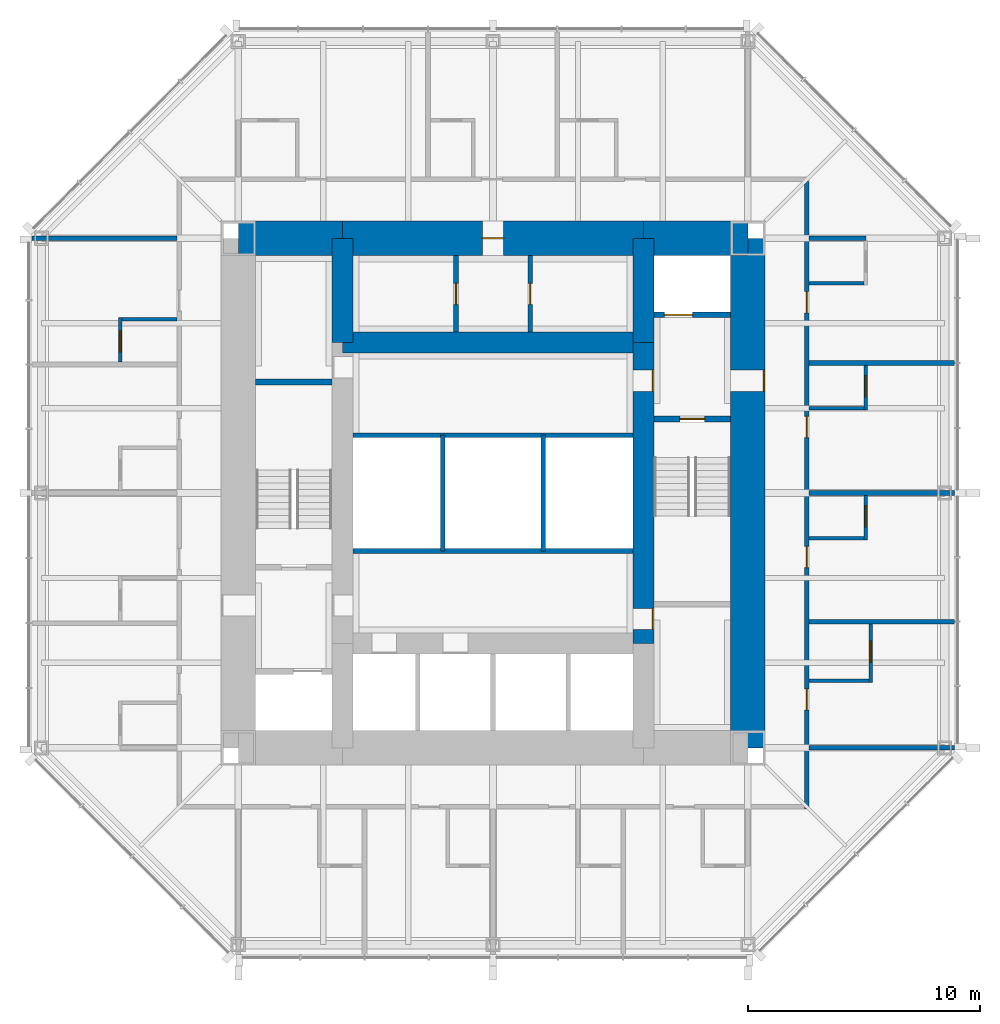
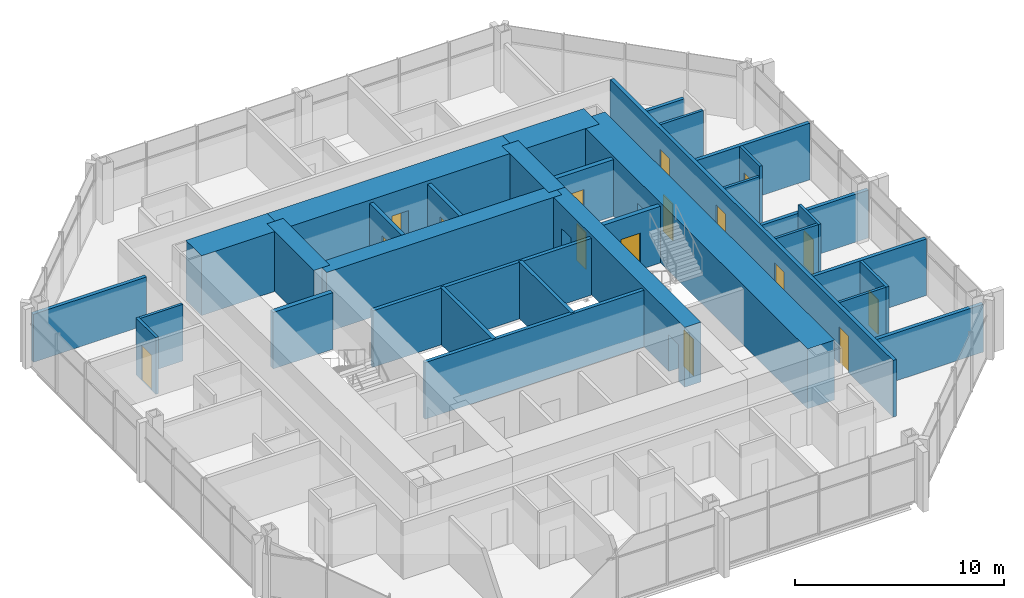
# One storey, part 9 of 12: 33 walls, 16 doors, 16 openings.
"""IFC4 building model written with IfcOpenShell, lengths in metres."""

from ifc_helpers import new_model, si_unit, direction, frame, frame_2d, origin, place, context, subcontext, project, spatial, rectangle, extrude, material, layer, layer_set, type_object, element, fill, save


model = new_model("IFC4")

# Units and contexts
model_context = context("Model", 3, precision=1e-05, world=origin(), true_north=direction((0.0, 1.0)))
body_context = subcontext(model_context, "Body", "Model", "MODEL_VIEW")
ifc_project = project(units=[si_unit("LENGTHUNIT", "METRE"), si_unit("AREAUNIT", "SQUARE_METRE"), si_unit("VOLUMEUNIT", "CUBIC_METRE"), si_unit("PLANEANGLEUNIT", "RADIAN"), si_unit("MASSUNIT", "GRAM", prefix="KILO")], contexts=[model_context])

# Site, building, storey
site_placement = place(None, origin())
site = spatial("IfcSite", under=ifc_project, at=site_placement, CompositionType="ELEMENT")
building_placement = place(site_placement, origin())
building = spatial("IfcBuilding", under=site, at=building_placement, Name="Trevanion Tower", CompositionType="ELEMENT")
storey_placement = place(building_placement, frame((0.0, 0.0, 208.199951171875)))
storey = spatial("IfcBuildingStorey", under=building, at=storey_placement, Name="L49", CompositionType="ELEMENT", Elevation=208.199951171875)

# Wall, opening, door
ifc_material_1 = material(Name="Concrete 10,000 psi", Category="concrete")
ifc_layer_1 = layer(ifc_material_1, 1.5)
ifc_layer_set_1 = layer_set([ifc_layer_1], Name="CW1 core wall 1500")
wall_type_1 = type_object("IfcWallType", Name="CW1 core wall 1500", PredefinedType="SHEAR", material=ifc_layer_set_1)
wall_1_placement = place(storey_placement, frame((11.0, -11.0, 0.0), z_axis=(0.0, 0.0, 1.0), x_axis=(0.0, 1.0, 0.0)))
wall_1 = element("IfcWall", 1, at=wall_1_placement, inside=storey, type_object=wall_type_1, Name="CW1 CE L49", PredefinedType="SHEAR", context=body_context, shape_type="SweptSolid", body=[
    extrude(rectangle(XDim=22.0, YDim=1.5, at=frame_2d((11.0, 0.0))), origin(), (0.0, 0.0, 1.0), 3.5),
])
opening_1_placement = place(wall_1_placement, frame((15.392578125, 0.0, 0.0)))
opening_1 = element("IfcOpeningElement", 2, at=opening_1_placement, cuts=wall_1, Name="Opening 49-001", PredefinedType="OPENING", context=body_context, shape_type="SweptSolid", body=[
    extrude(rectangle(XDim=0.9150390625, YDim=2.134033203125, at=frame_2d((0.45751953125, 1.06689453125))), frame((0.0, 0.760009765625, 0.0), z_axis=(0.0, -1.0, 0.0), x_axis=(1.0, 0.0, 0.0)), (0.0, 0.0, 1.0), 1.52001953125),
])
ifc_material_2 = material(Name="Hollow metal, fire rated", Category="steel")
door_type_1 = type_object("IfcDoorType", Name="D3 fire lift lobby door", OperationType="SINGLE_SWING_RIGHT", PredefinedType="DOOR", material=ifc_material_2)
door_1_placement = place(opening_1_placement, origin())
door_1 = element("IfcDoor", 3, at=door_1_placement, inside=storey, type_object=door_type_1, Name="Door 49-001", OperationType="SINGLE_SWING_RIGHT", OverallHeight=2.134033203125, OverallWidth=0.9150390625, PredefinedType="DOOR", context=body_context, shape_type="SweptSolid", body=[
    extrude(rectangle(XDim=0.9150390625, YDim=2.134033203125, at=frame_2d((0.45751953125, 1.06689453125))), frame((0.0, -0.6748046875, 0.0), z_axis=(0.0, -1.0, 0.0), x_axis=(1.0, 0.0, 0.0)), (0.0, 0.0, 1.0), 0.050048828125),
])
fill(opening_1, door_1)

# Wall
wall_2_placement = place(storey_placement, frame((11.0, 11.0, 0.0), z_axis=(0.0, 0.0, 1.0), x_axis=(-1.0, 0.0, 0.0)))
element("IfcWall", 4, at=wall_2_placement, inside=storey, type_object=wall_type_1, Name="CW1 CN1 L49", PredefinedType="SHEAR", context=body_context, shape_type="SweptSolid", body=[
    extrude(rectangle(XDim=4.5, YDim=1.5, at=frame_2d((2.25, 0.0))), origin(), (0.0, 0.0, 1.0), 3.5),
])

# Wall, opening, door
wall_3_placement = place(storey_placement, frame((6.5, 11.0, 0.0), z_axis=(0.0, 0.0, 1.0), x_axis=(-1.0, 0.0, 0.0)))
wall_3 = element("IfcWall", 5, at=wall_3_placement, inside=storey, type_object=wall_type_1, Name="CW1 CN2 L49", PredefinedType="SHEAR", context=body_context, shape_type="SweptSolid", body=[
    extrude(rectangle(XDim=13.0, YDim=1.5, at=frame_2d((6.5, 0.0))), origin(), (0.0, 0.0, 1.0), 3.5),
])
opening_2_placement = place(wall_3_placement, frame((6.04248046875, 0.0, 0.0)))
opening_2 = element("IfcOpeningElement", 6, at=opening_2_placement, cuts=wall_3, Name="Opening 49-013", PredefinedType="OPENING", context=body_context, shape_type="SweptSolid", body=[
    extrude(rectangle(XDim=0.9150390625, YDim=2.134033203125, at=frame_2d((0.45751953125, 1.06689453125))), frame((0.0, 0.760009765625, 0.0), z_axis=(0.0, -1.0, 0.0), x_axis=(1.0, 0.0, 0.0)), (0.0, 0.0, 1.0), 1.52001953125),
])
ifc_material_3 = material(Name="Hollow metal, fire rated", Category="steel")
door_type_2 = type_object("IfcDoorType", Name="D5 service room door", OperationType="SINGLE_SWING_RIGHT", PredefinedType="DOOR", material=ifc_material_3)
door_2_placement = place(opening_2_placement, origin())
door_2 = element("IfcDoor", 7, at=door_2_placement, inside=storey, type_object=door_type_2, Name="Door 49-013", OperationType="SINGLE_SWING_RIGHT", OverallHeight=2.134033203125, OverallWidth=0.9150390625, PredefinedType="DOOR", context=body_context, shape_type="SweptSolid", body=[
    extrude(rectangle(XDim=0.9150390625, YDim=2.134033203125, at=frame_2d((0.45751953125, 1.06689453125))), frame((0.0, 0.02490234375, 0.0), z_axis=(0.0, -1.0, 0.0), x_axis=(1.0, 0.0, 0.0)), (0.0, 0.0, 1.0), 0.050048828125),
])
fill(opening_2, door_2)

# Wall
wall_4_placement = place(storey_placement, frame((-6.5, 11.0, 0.0), z_axis=(0.0, 0.0, 1.0), x_axis=(-1.0, 0.0, 0.0)))
element("IfcWall", 8, at=wall_4_placement, inside=storey, type_object=wall_type_1, Name="CW1 CN3 L49", PredefinedType="SHEAR", context=body_context, shape_type="SweptSolid", body=[
    extrude(rectangle(XDim=4.5, YDim=1.5, at=frame_2d((2.25, 0.0))), origin(), (0.0, 0.0, 1.0), 3.5),
])

# Wall, openings, doors
ifc_material_4 = material(Name="Concrete 10,000 psi", Category="concrete")
ifc_layer_2 = layer(ifc_material_4, 0.89990234375)
ifc_layer_set_2 = layer_set([ifc_layer_2], Name="CW2 core wall 900")
wall_type_2 = type_object("IfcWallType", Name="CW2 core wall 900", PredefinedType="SHEAR", material=ifc_layer_set_2)
wall_5_placement = place(storey_placement, frame((6.5, -6.5, 0.0), z_axis=(0.0, 0.0, 1.0), x_axis=(0.0, 1.0, 0.0)))
wall_5 = element("IfcWall", 9, at=wall_5_placement, inside=storey, type_object=wall_type_2, Name="CW2 RE2 L49", PredefinedType="SHEAR", context=body_context, shape_type="SweptSolid", body=[
    extrude(rectangle(XDim=13.0, YDim=0.89990234375, at=frame_2d((6.5, 0.0))), origin(), (0.0, 0.0, 1.0), 3.5),
])
opening_3_placement = place(wall_5_placement, frame((10.892578125, 0.0, 0.0)))
opening_3 = element("IfcOpeningElement", 10, at=opening_3_placement, cuts=wall_5, Name="Opening 49-003", PredefinedType="OPENING", context=body_context, shape_type="SweptSolid", body=[
    extrude(rectangle(XDim=0.9150390625, YDim=2.134033203125, at=frame_2d((0.45751953125, 1.06689453125))), frame((0.0, 0.4599609375, 0.0), z_axis=(0.0, -1.0, 0.0), x_axis=(1.0, 0.0, 0.0)), (0.0, 0.0, 1.0), 0.919921875),
])
opening_4_placement = place(wall_5_placement, frame((0.610107421875, 0.0, 0.0)))
opening_4 = element("IfcOpeningElement", 11, at=opening_4_placement, cuts=wall_5, Name="Opening 49-009", PredefinedType="OPENING", context=body_context, shape_type="SweptSolid", body=[
    extrude(rectangle(XDim=0.9150390625, YDim=2.134033203125, at=frame_2d((0.45751953125, 1.06689453125))), frame((0.0, 0.4599609375, 0.0), z_axis=(0.0, -1.0, 0.0), x_axis=(1.0, 0.0, 0.0)), (0.0, 0.0, 1.0), 0.919921875),
])
door_3_placement = place(opening_3_placement, origin())
door_3 = element("IfcDoor", 12, at=door_3_placement, inside=storey, type_object=door_type_1, Name="Door 49-003", OperationType="SINGLE_SWING_RIGHT", OverallHeight=2.134033203125, OverallWidth=0.9150390625, PredefinedType="DOOR", context=body_context, shape_type="SweptSolid", body=[
    extrude(rectangle(XDim=0.9150390625, YDim=2.134033203125, at=frame_2d((0.45751953125, 1.06689453125))), frame((0.0, -0.375, 0.0), z_axis=(0.0, -1.0, 0.0), x_axis=(1.0, 0.0, 0.0)), (0.0, 0.0, 1.0), 0.050048828125),
])
fill(opening_3, door_3)
door_4_placement = place(opening_4_placement, origin())
door_4 = element("IfcDoor", 13, at=door_4_placement, inside=storey, type_object=door_type_2, Name="Door 49-009", OperationType="SINGLE_SWING_RIGHT", OverallHeight=2.134033203125, OverallWidth=0.9150390625, PredefinedType="DOOR", context=body_context, shape_type="SweptSolid", body=[
    extrude(rectangle(XDim=0.9150390625, YDim=2.134033203125, at=frame_2d((0.45751953125, 1.06689453125))), frame((0.0, -0.375, 0.0), z_axis=(0.0, -1.0, 0.0), x_axis=(1.0, 0.0, 0.0)), (0.0, 0.0, 1.0), 0.050048828125),
])
fill(opening_4, door_4)

# Walls
for number, where, z_axis, x_axis, name in (
    (14, (6.5, 6.5, 0.0), (0.0, 0.0, 1.0), (0.0, 1.0, 0.0), "CW2 RE3 L49"),
    (15, (-6.5, 11.0, 0.0), (0.0, 0.0, 1.0), (0.0, -1.0, 0.0), "CW2 RW1 L49"),
):
    element("IfcWall", number, at=place(storey_placement, frame(where, z_axis=z_axis, x_axis=x_axis)), inside=storey, type_object=wall_type_2, Name=name, PredefinedType="SHEAR", context=body_context, shape_type="SweptSolid", body=[
        extrude(rectangle(XDim=4.5, YDim=0.89990234375, at=frame_2d((2.25, 0.0))), origin(), (0.0, 0.0, 1.0), 3.5),
    ])
wall_6_placement = place(storey_placement, frame((6.5, 6.5, 0.0), z_axis=(0.0, 0.0, 1.0), x_axis=(-1.0, 0.0, 0.0)))
element("IfcWall", 16, at=wall_6_placement, inside=storey, type_object=wall_type_2, Name="CW2 RN L49", PredefinedType="SHEAR", context=body_context, shape_type="SweptSolid", body=[
    extrude(rectangle(XDim=13.0, YDim=0.89990234375, at=frame_2d((6.5, 0.0))), origin(), (0.0, 0.0, 1.0), 3.5),
])

# Wall, opening, door
ifc_material_5 = material(Name="Gypsum board on steel studs", Category="steel")
ifc_layer_3 = layer(ifc_material_5, 0.14990234375)
ifc_layer_set_3 = layer_set([ifc_layer_3], Name="PT1 partition 150")
wall_type_3 = type_object("IfcWallType", Name="PT1 partition 150", PredefinedType="PARTITIONING", material=ifc_layer_set_3)
wall_7_placement = place(storey_placement, frame((16.300048828125, -8.174072265625, 0.0), z_axis=(0.0, 0.0, 1.0), x_axis=(0.0, 1.0, 0.0)))
wall_7 = element("IfcWall", 17, at=wall_7_placement, inside=storey, type_object=wall_type_3, Name="PT1 L49 BA00", PredefinedType="PARTITIONING", context=body_context, shape_type="SweptSolid", body=[
    extrude(rectangle(XDim=2.525146484375, YDim=0.14990234375, at=frame_2d((1.2626953125, 0.0))), origin(), (0.0, 0.0, 1.0), 3.31005859375),
])
opening_5_placement = place(wall_7_placement, frame((0.867431640625, 0.0, 0.0)))
opening_5 = element("IfcOpeningElement", 18, at=opening_5_placement, cuts=wall_7, Name="Opening 49-016", PredefinedType="OPENING", context=body_context, shape_type="SweptSolid", body=[
    extrude(rectangle(XDim=0.9150390625, YDim=2.031982421875, at=frame_2d((0.45751953125, 1.01611328125))), frame((0.0, 0.0849609375, 0.0), z_axis=(0.0, -1.0, 0.0), x_axis=(1.0, 0.0, 0.0)), (0.0, 0.0, 1.0), 0.169921875),
])
ifc_material_6 = material(Name="Timber veneer", Category="wood")
door_type_3 = type_object("IfcDoorType", Name="D7 bathroom door", OperationType="SINGLE_SWING_LEFT", PredefinedType="DOOR", material=ifc_material_6)
door_5_placement = place(opening_5_placement, origin())
door_5 = element("IfcDoor", 19, at=door_5_placement, inside=storey, type_object=door_type_3, Name="Door 49-016", OperationType="SINGLE_SWING_LEFT", OverallHeight=2.031982421875, OverallWidth=0.9150390625, PredefinedType="DOOR", context=body_context, shape_type="SweptSolid", body=[
    extrude(rectangle(XDim=0.9150390625, YDim=2.031982421875, at=frame_2d((0.45751953125, 1.01611328125))), frame((0.0, 0.02490234375, 0.0), z_axis=(0.0, -1.0, 0.0), x_axis=(1.0, 0.0, 0.0)), (0.0, 0.0, 1.0), 0.050048828125),
])
fill(opening_5, door_5)

# Wall
wall_8_placement = place(storey_placement, frame((13.64990234375, -8.09912109375, 0.0), z_axis=(0.0, 0.0, 1.0), x_axis=(1.0, 0.0, 0.0)))
element("IfcWall", 20, at=wall_8_placement, inside=storey, type_object=wall_type_3, Name="PT1 L49 BB00", PredefinedType="PARTITIONING", context=body_context, shape_type="SweptSolid", body=[
    extrude(rectangle(XDim=2.5751953125, YDim=0.14990234375, at=frame_2d((1.28759765625, 0.0))), origin(), (0.0, 0.0, 1.0), 3.31005859375),
])

# Wall, opening, door
wall_9_placement = place(storey_placement, frame((16.10009765625, -2.02490234375, 0.0), z_axis=(0.0, 0.0, 1.0), x_axis=(0.0, 1.0, 0.0)))
wall_9 = element("IfcWall", 21, at=wall_9_placement, inside=storey, type_object=wall_type_3, Name="PT1 L49 BA01", PredefinedType="PARTITIONING", context=body_context, shape_type="SweptSolid", body=[
    extrude(rectangle(XDim=1.9248046875, YDim=0.14990234375, at=frame_2d((0.96240234375, 0.0))), origin(), (0.0, 0.0, 1.0), 3.31005859375),
])
opening_6_placement = place(wall_9_placement, frame((0.5673828125, 0.0, 0.0)))
opening_6 = element("IfcOpeningElement", 22, at=opening_6_placement, cuts=wall_9, Name="Opening 49-018", PredefinedType="OPENING", context=body_context, shape_type="SweptSolid", body=[
    extrude(rectangle(XDim=0.9150390625, YDim=2.031982421875, at=frame_2d((0.45751953125, 1.01611328125))), frame((0.0, 0.0849609375, 0.0), z_axis=(0.0, -1.0, 0.0), x_axis=(1.0, 0.0, 0.0)), (0.0, 0.0, 1.0), 0.169921875),
])
door_6_placement = place(opening_6_placement, origin())
door_6 = element("IfcDoor", 23, at=door_6_placement, inside=storey, type_object=door_type_3, Name="Door 49-018", OperationType="SINGLE_SWING_LEFT", OverallHeight=2.031982421875, OverallWidth=0.9150390625, PredefinedType="DOOR", context=body_context, shape_type="SweptSolid", body=[
    extrude(rectangle(XDim=0.9150390625, YDim=2.031982421875, at=frame_2d((0.45751953125, 1.01611328125))), frame((0.0, 0.02490234375, 0.0), z_axis=(0.0, -1.0, 0.0), x_axis=(1.0, 0.0, 0.0)), (0.0, 0.0, 1.0), 0.050048828125),
])
fill(opening_6, door_6)

# Wall
wall_10_placement = place(storey_placement, frame((13.64990234375, -1.949951171875, 0.0), z_axis=(0.0, 0.0, 1.0), x_axis=(1.0, 0.0, 0.0)))
element("IfcWall", 24, at=wall_10_placement, inside=storey, type_object=wall_type_3, Name="PT1 L49 BB01", PredefinedType="PARTITIONING", context=body_context, shape_type="SweptSolid", body=[
    extrude(rectangle(XDim=2.375, YDim=0.14990234375, at=frame_2d((1.1875, 0.0))), origin(), (0.0, 0.0, 1.0), 3.31005859375),
])

# Wall, opening, door
wall_11_placement = place(storey_placement, frame((16.10009765625, 3.589111328125, 0.0), z_axis=(0.0, 0.0, 1.0), x_axis=(0.0, 1.0, 0.0)))
wall_11 = element("IfcWall", 25, at=wall_11_placement, inside=storey, type_object=wall_type_3, Name="PT1 L49 BA02", PredefinedType="PARTITIONING", context=body_context, shape_type="SweptSolid", body=[
    extrude(rectangle(XDim=1.9248046875, YDim=0.14990234375, at=frame_2d((0.96240234375, 0.0))), origin(), (0.0, 0.0, 1.0), 3.31005859375),
])
opening_7_placement = place(wall_11_placement, frame((0.5673828125, 0.0, 0.0)))
opening_7 = element("IfcOpeningElement", 26, at=opening_7_placement, cuts=wall_11, Name="Opening 49-020", PredefinedType="OPENING", context=body_context, shape_type="SweptSolid", body=[
    extrude(rectangle(XDim=0.9150390625, YDim=2.031982421875, at=frame_2d((0.45751953125, 1.01611328125))), frame((0.0, 0.0849609375, 0.0), z_axis=(0.0, -1.0, 0.0), x_axis=(1.0, 0.0, 0.0)), (0.0, 0.0, 1.0), 0.169921875),
])
door_7_placement = place(opening_7_placement, origin())
door_7 = element("IfcDoor", 27, at=door_7_placement, inside=storey, type_object=door_type_3, Name="Door 49-020", OperationType="SINGLE_SWING_LEFT", OverallHeight=2.031982421875, OverallWidth=0.9150390625, PredefinedType="DOOR", context=body_context, shape_type="SweptSolid", body=[
    extrude(rectangle(XDim=0.9150390625, YDim=2.031982421875, at=frame_2d((0.45751953125, 1.01611328125))), frame((0.0, 0.02490234375, 0.0), z_axis=(0.0, -1.0, 0.0), x_axis=(1.0, 0.0, 0.0)), (0.0, 0.0, 1.0), 0.050048828125),
])
fill(opening_7, door_7)

# Walls
wall_12_placement = place(storey_placement, frame((13.64990234375, 3.6640625, 0.0), z_axis=(0.0, 0.0, 1.0), x_axis=(1.0, 0.0, 0.0)))
element("IfcWall", 28, at=wall_12_placement, inside=storey, type_object=wall_type_3, Name="PT1 L49 BB02", PredefinedType="PARTITIONING", context=body_context, shape_type="SweptSolid", body=[
    extrude(rectangle(XDim=2.375, YDim=0.14990234375, at=frame_2d((1.1875, 0.0))), origin(), (0.0, 0.0, 1.0), 2.703125),
])
wall_13_placement = place(storey_placement, frame((13.64990234375, 9.050048828125, 0.0), z_axis=(0.0, 0.0, 1.0), x_axis=(1.0, 0.0, 0.0)))
element("IfcWall", 29, at=wall_13_placement, inside=storey, type_object=wall_type_3, Name="PT1 L49 BB03", PredefinedType="PARTITIONING", context=body_context, shape_type="SweptSolid", body=[
    extrude(rectangle(XDim=2.375, YDim=0.14990234375, at=frame_2d((1.1875, 0.0))), origin(), (0.0, 0.0, 1.0), 3.31005859375),
])

# Wall, opening, door
wall_14_placement = place(storey_placement, frame((-16.10009765625, 7.573974609375, 0.0), z_axis=(0.0, 0.0, 1.0), x_axis=(0.0, -1.0, 0.0)))
wall_14 = element("IfcWall", 30, at=wall_14_placement, inside=storey, type_object=wall_type_3, Name="PT1 L49 BA20", PredefinedType="PARTITIONING", context=body_context, shape_type="SweptSolid", body=[
    extrude(rectangle(XDim=1.925048828125, YDim=0.14990234375, at=frame_2d((0.96240234375, 0.0))), origin(), (0.0, 0.0, 1.0), 3.31005859375),
])
opening_8_placement = place(wall_14_placement, frame((0.5673828125, 0.0, 0.0)))
opening_8 = element("IfcOpeningElement", 31, at=opening_8_placement, cuts=wall_14, Name="Opening 49-030", PredefinedType="OPENING", context=body_context, shape_type="SweptSolid", body=[
    extrude(rectangle(XDim=0.9150390625, YDim=2.031982421875, at=frame_2d((0.45751953125, 1.01611328125))), frame((0.0, 0.0849609375, 0.0), z_axis=(0.0, -1.0, 0.0), x_axis=(1.0, 0.0, 0.0)), (0.0, 0.0, 1.0), 0.169921875),
])
door_8_placement = place(opening_8_placement, origin())
door_8 = element("IfcDoor", 32, at=door_8_placement, inside=storey, type_object=door_type_3, Name="Door 49-030", OperationType="SINGLE_SWING_LEFT", OverallHeight=2.031982421875, OverallWidth=0.9150390625, PredefinedType="DOOR", context=body_context, shape_type="SweptSolid", body=[
    extrude(rectangle(XDim=0.9150390625, YDim=2.031982421875, at=frame_2d((0.45751953125, 1.01611328125))), frame((0.0, 0.02490234375, 0.0), z_axis=(0.0, -1.0, 0.0), x_axis=(1.0, 0.0, 0.0)), (0.0, 0.0, 1.0), 0.050048828125),
])
fill(opening_8, door_8)

# Walls
wall_15_placement = place(storey_placement, frame((-13.64990234375, 7.4990234375, 0.0), z_axis=(0.0, 0.0, 1.0), x_axis=(-1.0, 0.0, 0.0)))
element("IfcWall", 33, at=wall_15_placement, inside=storey, type_object=wall_type_3, Name="PT1 L49 BB20", PredefinedType="PARTITIONING", context=body_context, shape_type="SweptSolid", body=[
    extrude(rectangle(XDim=2.375, YDim=0.14990234375, at=frame_2d((1.1875, 0.0))), origin(), (0.0, 0.0, 1.0), 3.31005859375),
])
ifc_material_7 = material(Name="Concrete masonry, grouted", Category="masonry")
ifc_layer_4 = layer(ifc_material_7, 0.199951171875)
ifc_layer_set_4 = layer_set([ifc_layer_4], Name="PT2 partition 200 1 HR")
wall_type_4 = type_object("IfcWallType", Name="PT2 partition 200 1 HR", PredefinedType="PARTITIONING", material=ifc_layer_set_4)
for number, where, z_axis, x_axis, name in (
    (34, (-6.050048828125, 2.5, 0.0), (0.0, 0.0, 1.0), (1.0, 0.0, 0.0), "PT2 L49 CP1"),
    (35, (6.050048828125, -2.5, 0.0), (0.0, 0.0, 1.0), (-1.0, 0.0, 0.0), "PT2 L49 CP2"),
):
    element("IfcWall", number, at=place(storey_placement, frame(where, z_axis=z_axis, x_axis=x_axis)), inside=storey, type_object=wall_type_4, Name=name, PredefinedType="PARTITIONING", context=body_context, shape_type="SweptSolid", body=[
        extrude(rectangle(XDim=12.10009765625, YDim=0.199951171875, at=frame_2d((6.050048828125, 0.0))), origin(), (0.0, 0.0, 1.0), 3.31005859375),
    ])

# Wall, opening, door
wall_16_placement = place(storey_placement, frame((-1.60009765625, 6.949951171875, 0.0), z_axis=(0.0, 0.0, 1.0), x_axis=(0.0, 1.0, 0.0)))
wall_16 = element("IfcWall", 36, at=wall_16_placement, inside=storey, type_object=wall_type_4, Name="PT2 L49 HKP1", PredefinedType="PARTITIONING", context=body_context, shape_type="SweptSolid", body=[
    extrude(rectangle(XDim=3.300048828125, YDim=0.199951171875, at=frame_2d((1.64990234375, 0.0))), origin(), (0.0, 0.0, 1.0), 3.31005859375),
])
opening_9_placement = place(wall_16_placement, frame((1.1923828125, 0.0, 0.0)))
opening_9 = element("IfcOpeningElement", 37, at=opening_9_placement, cuts=wall_16, Name="Opening 49-014", PredefinedType="OPENING", context=body_context, shape_type="SweptSolid", body=[
    extrude(rectangle(XDim=0.9150390625, YDim=2.134033203125, at=frame_2d((0.45751953125, 1.06689453125))), frame((0.0, 0.10986328125, 0.0), z_axis=(0.0, -1.0, 0.0), x_axis=(1.0, 0.0, 0.0)), (0.0, 0.0, 1.0), 0.219970703125),
])
door_9_placement = place(opening_9_placement, origin())
door_9 = element("IfcDoor", 38, at=door_9_placement, inside=storey, type_object=door_type_2, Name="Door 49-014", OperationType="SINGLE_SWING_RIGHT", OverallHeight=2.134033203125, OverallWidth=0.9150390625, PredefinedType="DOOR", context=body_context, shape_type="SweptSolid", body=[
    extrude(rectangle(XDim=0.9150390625, YDim=2.134033203125, at=frame_2d((0.45751953125, 1.06689453125))), frame((0.0, 0.02490234375, 0.0), z_axis=(0.0, -1.0, 0.0), x_axis=(1.0, 0.0, 0.0)), (0.0, 0.0, 1.0), 0.050048828125),
])
fill(opening_9, door_9)

wall_17_placement = place(storey_placement, frame((1.60009765625, 6.949951171875, 0.0), z_axis=(0.0, 0.0, 1.0), x_axis=(0.0, 1.0, 0.0)))
wall_17 = element("IfcWall", 39, at=wall_17_placement, inside=storey, type_object=wall_type_4, Name="PT2 L49 HKP2", PredefinedType="PARTITIONING", context=body_context, shape_type="SweptSolid", body=[
    extrude(rectangle(XDim=3.300048828125, YDim=0.199951171875, at=frame_2d((1.64990234375, 0.0))), origin(), (0.0, 0.0, 1.0), 3.31005859375),
])
opening_10_placement = place(wall_17_placement, frame((1.1923828125, 0.0, 0.0)))
opening_10 = element("IfcOpeningElement", 40, at=opening_10_placement, cuts=wall_17, Name="Opening 49-015", PredefinedType="OPENING", context=body_context, shape_type="SweptSolid", body=[
    extrude(rectangle(XDim=0.9150390625, YDim=2.134033203125, at=frame_2d((0.45751953125, 1.06689453125))), frame((0.0, 0.10986328125, 0.0), z_axis=(0.0, -1.0, 0.0), x_axis=(1.0, 0.0, 0.0)), (0.0, 0.0, 1.0), 0.219970703125),
])
door_10_placement = place(opening_10_placement, origin())
door_10 = element("IfcDoor", 41, at=door_10_placement, inside=storey, type_object=door_type_2, Name="Door 49-015", OperationType="SINGLE_SWING_RIGHT", OverallHeight=2.134033203125, OverallWidth=0.9150390625, PredefinedType="DOOR", context=body_context, shape_type="SweptSolid", body=[
    extrude(rectangle(XDim=0.9150390625, YDim=2.134033203125, at=frame_2d((0.45751953125, 1.06689453125))), frame((0.0, 0.02490234375, 0.0), z_axis=(0.0, -1.0, 0.0), x_axis=(1.0, 0.0, 0.0)), (0.0, 0.0, 1.0), 0.050048828125),
])
fill(opening_10, door_10)

# Wall, openings, doors
wall_18_placement = place(storey_placement, frame((13.550048828125, -13.64990234375, 0.0), z_axis=(0.0, 0.0, 1.0), x_axis=(0.0, 1.0, 0.0)))
wall_18 = element("IfcWall", 42, at=wall_18_placement, inside=storey, type_object=wall_type_4, Name="PT2 L49 HC0", PredefinedType="PARTITIONING", context=body_context, shape_type="SweptSolid", body=[
    extrude(rectangle(XDim=27.099853515625, YDim=0.199951171875, at=frame_2d((13.5498046875, 0.0))), origin(), (0.0, 0.0, 1.0), 3.31005859375),
])
opening_11_placement = place(wall_18_placement, frame((4.283447265625, 0.0, 0.0)))
opening_11 = element("IfcOpeningElement", 43, at=opening_11_placement, cuts=wall_18, Name="Opening 49-017", PredefinedType="OPENING", context=body_context, shape_type="SweptSolid", body=[
    extrude(rectangle(XDim=0.9150390625, YDim=2.134033203125, at=frame_2d((0.45751953125, 1.06689453125))), frame((0.0, 0.10986328125, 0.0), z_axis=(0.0, -1.0, 0.0), x_axis=(1.0, 0.0, 0.0)), (0.0, 0.0, 1.0), 0.219970703125),
])
opening_12_placement = place(wall_18_placement, frame((10.4326171875, 0.0, 0.0)))
opening_12 = element("IfcOpeningElement", 44, at=opening_12_placement, cuts=wall_18, Name="Opening 49-019", PredefinedType="OPENING", context=body_context, shape_type="SweptSolid", body=[
    extrude(rectangle(XDim=0.9150390625, YDim=2.134033203125, at=frame_2d((0.45751953125, 1.06689453125))), frame((0.0, 0.10986328125, 0.0), z_axis=(0.0, -1.0, 0.0), x_axis=(1.0, 0.0, 0.0)), (0.0, 0.0, 1.0), 0.219970703125),
])
opening_13_placement = place(wall_18_placement, frame((16.04638671875, 0.0, 0.0)))
opening_13 = element("IfcOpeningElement", 45, at=opening_13_placement, cuts=wall_18, Name="Opening 49-021", PredefinedType="OPENING", context=body_context, shape_type="SweptSolid", body=[
    extrude(rectangle(XDim=0.9150390625, YDim=2.134033203125, at=frame_2d((0.45751953125, 1.06689453125))), frame((0.0, 0.10986328125, 0.0), z_axis=(0.0, -1.0, 0.0), x_axis=(1.0, 0.0, 0.0)), (0.0, 0.0, 1.0), 0.219970703125),
])
opening_14_placement = place(wall_18_placement, frame((21.4326171875, 0.0, 0.0)))
opening_14 = element("IfcOpeningElement", 46, at=opening_14_placement, cuts=wall_18, Name="Opening 49-023", PredefinedType="OPENING", context=body_context, shape_type="SweptSolid", body=[
    extrude(rectangle(XDim=0.9150390625, YDim=2.134033203125, at=frame_2d((0.45751953125, 1.06689453125))), frame((0.0, 0.10986328125, 0.0), z_axis=(0.0, -1.0, 0.0), x_axis=(1.0, 0.0, 0.0)), (0.0, 0.0, 1.0), 0.219970703125),
])
ifc_material_8 = material(Name="Timber veneer, fire rated", Category="wood")
door_type_4 = type_object("IfcDoorType", Name="D6 guest room entrance door", OperationType="SINGLE_SWING_LEFT", PredefinedType="DOOR", material=ifc_material_8)
door_11_placement = place(opening_11_placement, origin())
door_11 = element("IfcDoor", 47, at=door_11_placement, inside=storey, type_object=door_type_4, Name="Door 49-017", OperationType="SINGLE_SWING_LEFT", OverallHeight=2.134033203125, OverallWidth=0.9150390625, PredefinedType="DOOR", context=body_context, shape_type="SweptSolid", body=[
    extrude(rectangle(XDim=0.9150390625, YDim=2.134033203125, at=frame_2d((0.45751953125, 1.06689453125))), frame((0.0, 0.02490234375, 0.0), z_axis=(0.0, -1.0, 0.0), x_axis=(1.0, 0.0, 0.0)), (0.0, 0.0, 1.0), 0.050048828125),
])
fill(opening_11, door_11)
door_12_placement = place(opening_12_placement, origin())
door_12 = element("IfcDoor", 48, at=door_12_placement, inside=storey, type_object=door_type_4, Name="Door 49-019", OperationType="SINGLE_SWING_LEFT", OverallHeight=2.134033203125, OverallWidth=0.9150390625, PredefinedType="DOOR", context=body_context, shape_type="SweptSolid", body=[
    extrude(rectangle(XDim=0.9150390625, YDim=2.134033203125, at=frame_2d((0.45751953125, 1.06689453125))), frame((0.0, 0.02490234375, 0.0), z_axis=(0.0, -1.0, 0.0), x_axis=(1.0, 0.0, 0.0)), (0.0, 0.0, 1.0), 0.050048828125),
])
fill(opening_12, door_12)
door_13_placement = place(opening_13_placement, origin())
door_13 = element("IfcDoor", 49, at=door_13_placement, inside=storey, type_object=door_type_4, Name="Door 49-021", OperationType="SINGLE_SWING_LEFT", OverallHeight=2.134033203125, OverallWidth=0.9150390625, PredefinedType="DOOR", context=body_context, shape_type="SweptSolid", body=[
    extrude(rectangle(XDim=0.9150390625, YDim=2.134033203125, at=frame_2d((0.45751953125, 1.06689453125))), frame((0.0, 0.02490234375, 0.0), z_axis=(0.0, -1.0, 0.0), x_axis=(1.0, 0.0, 0.0)), (0.0, 0.0, 1.0), 0.050048828125),
])
fill(opening_13, door_13)
door_14_placement = place(opening_14_placement, origin())
door_14 = element("IfcDoor", 50, at=door_14_placement, inside=storey, type_object=door_type_4, Name="Door 49-023", OperationType="SINGLE_SWING_LEFT", OverallHeight=2.134033203125, OverallWidth=0.9150390625, PredefinedType="DOOR", context=body_context, shape_type="SweptSolid", body=[
    extrude(rectangle(XDim=0.9150390625, YDim=2.134033203125, at=frame_2d((0.45751953125, 1.06689453125))), frame((0.0, 0.02490234375, 0.0), z_axis=(0.0, -1.0, 0.0), x_axis=(1.0, 0.0, 0.0)), (0.0, 0.0, 1.0), 0.050048828125),
])
fill(opening_14, door_14)

# Walls
wall_19_placement = place(storey_placement, frame((13.64990234375, -11.0, 0.0), z_axis=(0.0, 0.0, 1.0), x_axis=(1.0, 0.0, 0.0)))
element("IfcWall", 51, at=wall_19_placement, inside=storey, type_object=wall_type_4, Name="PT2 L49 HD00", PredefinedType="PARTITIONING", context=body_context, shape_type="SweptSolid", body=[
    extrude(rectangle(XDim=6.26513671875, YDim=0.199951171875, at=frame_2d((3.132568359375, 0.0))), origin(), (0.0, 0.0, 1.0), 2.802001953125),
])
wall_20_placement = place(storey_placement, frame((13.64990234375, -5.549072265625, 0.0), z_axis=(0.0, 0.0, 1.0), x_axis=(1.0, 0.0, 0.0)))
element("IfcWall", 52, at=wall_20_placement, inside=storey, type_object=wall_type_4, Name="PT2 L49 HD01", PredefinedType="PARTITIONING", context=body_context, shape_type="SweptSolid", body=[
    extrude(rectangle(XDim=6.26513671875, YDim=0.199951171875, at=frame_2d((3.132568359375, 0.0))), origin(), (0.0, 0.0, 1.0), 3.31005859375),
])
wall_21_placement = place(storey_placement, frame((13.64990234375, 0.0, 0.0), z_axis=(0.0, 0.0, 1.0), x_axis=(1.0, 0.0, 0.0)))
element("IfcWall", 53, at=wall_21_placement, inside=storey, type_object=wall_type_4, Name="PT2 L49 HD02", PredefinedType="PARTITIONING", context=body_context, shape_type="SweptSolid", body=[
    extrude(rectangle(XDim=6.26513671875, YDim=0.199951171875, at=frame_2d((3.132568359375, 0.0))), origin(), (0.0, 0.0, 1.0), 2.802001953125),
])
wall_22_placement = place(storey_placement, frame((13.64990234375, 5.614013671875, 0.0), z_axis=(0.0, 0.0, 1.0), x_axis=(1.0, 0.0, 0.0)))
element("IfcWall", 54, at=wall_22_placement, inside=storey, type_object=wall_type_4, Name="PT2 L49 HD03", PredefinedType="PARTITIONING", context=body_context, shape_type="SweptSolid", body=[
    extrude(rectangle(XDim=6.26513671875, YDim=0.199951171875, at=frame_2d((3.132568359375, 0.0))), origin(), (0.0, 0.0, 1.0), 3.31005859375),
])
wall_23_placement = place(storey_placement, frame((13.64990234375, 11.0, 0.0), z_axis=(0.0, 0.0, 1.0), x_axis=(1.0, 0.0, 0.0)))
element("IfcWall", 55, at=wall_23_placement, inside=storey, type_object=wall_type_4, Name="PT2 L49 BC03", PredefinedType="PARTITIONING", context=body_context, shape_type="SweptSolid", body=[
    extrude(rectangle(XDim=2.4501953125, YDim=0.199951171875, at=frame_2d((1.22509765625, 0.0))), origin(), (0.0, 0.0, 1.0), 2.802001953125),
])
wall_24_placement = place(storey_placement, frame((-13.64990234375, 11.0, 0.0), z_axis=(0.0, 0.0, 1.0), x_axis=(-1.0, 0.0, 0.0)))
element("IfcWall", 56, at=wall_24_placement, inside=storey, type_object=wall_type_4, Name="PT2 L49 HD20", PredefinedType="PARTITIONING", context=body_context, shape_type="SweptSolid", body=[
    extrude(rectangle(XDim=6.26513671875, YDim=0.199951171875, at=frame_2d((3.132568359375, 0.0))), origin(), (0.0, 0.0, 1.0), 2.802001953125),
])
ifc_material_9 = material(Name="Concrete masonry, grouted", Category="masonry")
ifc_layer_5 = layer(ifc_material_9, 0.199951171875)
ifc_layer_set_5 = layer_set([ifc_layer_5], Name="PT2 partition 200 2 HR")
wall_type_5 = type_object("IfcWallType", Name="PT2 partition 200 2 HR", PredefinedType="PARTITIONING", material=ifc_layer_set_5)
for number, where, z_axis, x_axis, name in (
    (57, (-2.166748046875, -2.5, 0.0), (0.0, 0.0, 1.0), (0.0, 1.0, 0.0), "PT2 L49 MS0"),
    (58, (2.166748046875, -2.5, 0.0), (0.0, 0.0, 1.0), (0.0, 1.0, 0.0), "PT2 L49 MS1"),
):
    element("IfcWall", number, at=place(storey_placement, frame(where, z_axis=z_axis, x_axis=x_axis)), inside=storey, type_object=wall_type_5, Name=name, PredefinedType="PARTITIONING", context=body_context, shape_type="SweptSolid", body=[
        extrude(rectangle(XDim=5.0, YDim=0.199951171875, at=frame_2d((2.5, 0.0))), origin(), (0.0, 0.0, 1.0), 3.31005859375),
    ])

# Wall, opening, door
ifc_material_10 = material(Name="Concrete masonry, grouted, two-hour", Category="masonry")
ifc_layer_6 = layer(ifc_material_10, 0.25)
ifc_layer_set_6 = layer_set([ifc_layer_6], Name="PT3 partition 250 2 HR")
wall_type_6 = type_object("IfcWallType", Name="PT3 partition 250 2 HR", PredefinedType="PARTITIONING", material=ifc_layer_set_6)
wall_25_placement = place(storey_placement, frame((6.949951171875, 7.699951171875, 0.0), z_axis=(0.0, 0.0, 1.0), x_axis=(1.0, 0.0, 0.0)))
wall_25 = element("IfcWall", 59, at=wall_25_placement, inside=storey, type_object=wall_type_6, Name="PT3 L49 EP3", PredefinedType="PARTITIONING", context=body_context, shape_type="SweptSolid", body=[
    extrude(rectangle(XDim=3.300048828125, YDim=0.25, at=frame_2d((1.64990234375, 0.0))), origin(), (0.0, 0.0, 1.0), 3.31005859375),
])
opening_15_placement = place(wall_25_placement, frame((0.449951171875, 0.0, 0.0)))
opening_15 = element("IfcOpeningElement", 60, at=opening_15_placement, cuts=wall_25, Name="Opening 49-007", PredefinedType="OPENING", context=body_context, shape_type="SweptSolid", body=[
    extrude(rectangle(XDim=1.218994140625, YDim=2.134033203125, at=frame_2d((0.609375, 1.06689453125))), frame((0.0, 0.135009765625, 0.0), z_axis=(0.0, -1.0, 0.0), x_axis=(1.0, 0.0, 0.0)), (0.0, 0.0, 1.0), 0.27001953125),
])
ifc_material_11 = material(Name="Stainless steel, fire rated", Category="steel")
door_type_5 = type_object("IfcDoorType", Name="LD2 fire service lift landing door", OperationType="SLIDING_TO_LEFT", PredefinedType="DOOR", material=ifc_material_11)
door_15_placement = place(opening_15_placement, origin())
door_15 = element("IfcDoor", 61, at=door_15_placement, inside=storey, type_object=door_type_5, Name="Door 49-007", OperationType="SLIDING_TO_LEFT", OverallHeight=2.134033203125, OverallWidth=1.218994140625, PredefinedType="DOOR", context=body_context, shape_type="SweptSolid", body=[
    extrude(rectangle(XDim=1.218994140625, YDim=2.134033203125, at=frame_2d((0.609375, 1.06689453125))), frame((0.0, 0.02490234375, 0.0), z_axis=(0.0, -1.0, 0.0), x_axis=(1.0, 0.0, 0.0)), (0.0, 0.0, 1.0), 0.050048828125),
])
fill(opening_15, door_15)

# Wall
ifc_material_12 = material(Name="Reinforced masonry, fully grouted", Category="masonry")
ifc_layer_7 = layer(ifc_material_12, 0.25)
ifc_layer_set_7 = layer_set([ifc_layer_7], Name="SW1 stair shaft wall 250")
wall_type_7 = type_object("IfcWallType", Name="SW1 stair shaft wall 250", PredefinedType="SOLIDWALL", material=ifc_layer_set_7)
wall_26_placement = place(storey_placement, frame((-6.949951171875, 4.800048828125, 0.0), z_axis=(0.0, 0.0, 1.0), x_axis=(-1.0, 0.0, 0.0)))
element("IfcWall", 62, at=wall_26_placement, inside=storey, type_object=wall_type_7, Name="SW1 L49 WP1", PredefinedType="SOLIDWALL", context=body_context, shape_type="SweptSolid", body=[
    extrude(rectangle(XDim=3.300048828125, YDim=0.25, at=frame_2d((1.64990234375, 0.0))), origin(), (0.0, 0.0, 1.0), 3.31005859375),
])

# Wall, opening, door
wall_27_placement = place(storey_placement, frame((6.949951171875, 3.199951171875, 0.0), z_axis=(0.0, 0.0, 1.0), x_axis=(1.0, 0.0, 0.0)))
wall_27 = element("IfcWall", 63, at=wall_27_placement, inside=storey, type_object=wall_type_7, Name="SW1 L49 EP2", PredefinedType="SOLIDWALL", context=body_context, shape_type="SweptSolid", body=[
    extrude(rectangle(XDim=3.300048828125, YDim=0.25, at=frame_2d((1.64990234375, 0.0))), origin(), (0.0, 0.0, 1.0), 3.31005859375),
])
opening_16_placement = place(wall_27_placement, frame((1.116455078125, 0.0, 0.0)))
opening_16 = element("IfcOpeningElement", 64, at=opening_16_placement, cuts=wall_27, Name="Opening 49-005", PredefinedType="OPENING", context=body_context, shape_type="SweptSolid", body=[
    extrude(rectangle(XDim=1.06689453125, YDim=2.134033203125, at=frame_2d((0.533447265625, 1.06689453125))), frame((0.0, 0.135009765625, 0.0), z_axis=(0.0, -1.0, 0.0), x_axis=(1.0, 0.0, 0.0)), (0.0, 0.0, 1.0), 0.27001953125),
])
ifc_material_13 = material(Name="Hollow metal, fire rated", Category="steel")
door_type_6 = type_object("IfcDoorType", Name="D2 exit stair door", OperationType="SINGLE_SWING_LEFT", PredefinedType="DOOR", material=ifc_material_13)
door_16_placement = place(opening_16_placement, origin())
door_16 = element("IfcDoor", 65, at=door_16_placement, inside=storey, type_object=door_type_6, Name="Door 49-005", OperationType="SINGLE_SWING_LEFT", OverallHeight=2.134033203125, OverallWidth=1.06689453125, PredefinedType="DOOR", context=body_context, shape_type="SweptSolid", body=[
    extrude(rectangle(XDim=1.06689453125, YDim=2.134033203125, at=frame_2d((0.533447265625, 1.06689453125))), frame((0.0, 0.02490234375, 0.0), z_axis=(0.0, -1.0, 0.0), x_axis=(1.0, 0.0, 0.0)), (0.0, 0.0, 1.0), 0.050048828125),
])
fill(opening_16, door_16)

save(model, "model.ifc")
